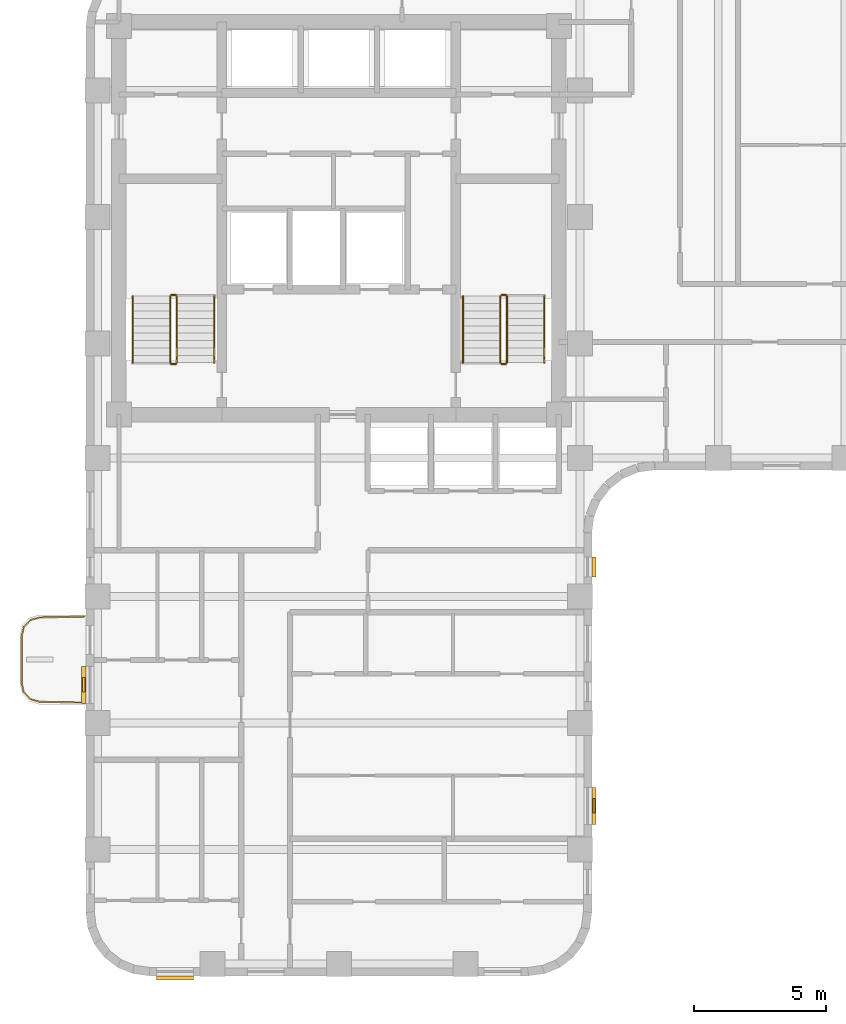
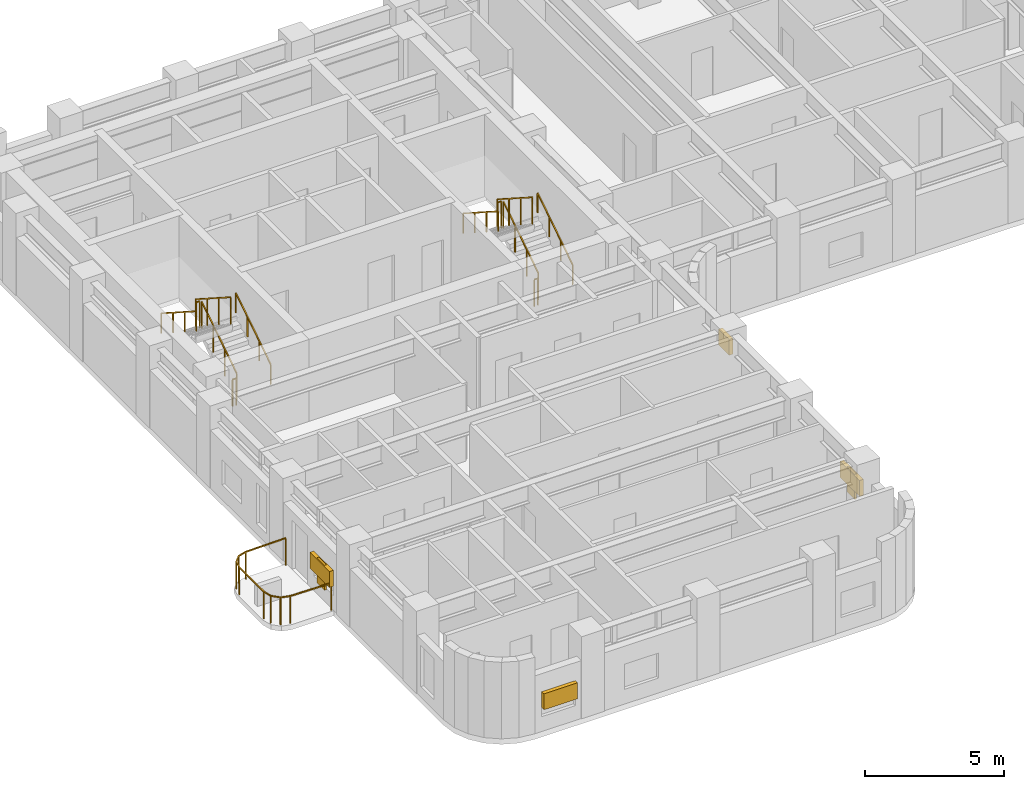
# One storey, part 8 of 9: 13 railings, 6 shading devices.
"""IFC4 building model written with IfcOpenShell, lengths in metres."""

from ifc_helpers import new_model, si_unit, direction, frame, origin, origin_2d, place, context, subcontext, project, spatial, rectangle, extrude, material, type_object, element, save


model = new_model("IFC4")

# Units and contexts
model_context = context("Model", 3, precision=1e-05, world=origin(), true_north=direction((0.0, 1.0)))
body_context = subcontext(model_context, "Body", "Model", "MODEL_VIEW")
ifc_project = project(units=[si_unit("LENGTHUNIT", "METRE"), si_unit("AREAUNIT", "SQUARE_METRE"), si_unit("VOLUMEUNIT", "CUBIC_METRE"), si_unit("PLANEANGLEUNIT", "RADIAN"), si_unit("MASSUNIT", "GRAM", prefix="KILO")], contexts=[model_context])

# Site, building, storey
site_placement = place(None, origin())
site = spatial("IfcSite", under=ifc_project, at=site_placement, CompositionType="ELEMENT")
building_placement = place(site_placement, origin())
building = spatial("IfcBuilding", under=site, at=building_placement, Name="Orvandelia Arch Residences", CompositionType="ELEMENT")
storey_placement = place(building_placement, frame((0.0, 0.0, 128.800048828125)))
storey = spatial("IfcBuildingStorey", under=building, at=storey_placement, Name="L33", CompositionType="ELEMENT", Elevation=128.800048828125)

# Railings
ifc_material_1 = material(Name="Marine-Grade Stainless Steel 316", Category="steel")
railing_type_1 = type_object("IfcRailingType", Name="GRD-BAL-1200", PredefinedType="BALUSTRADE", material=ifc_material_1)
railing_1_placement = place(storey_placement, frame((4.728271484375, 23.23046875, 0.0)))
element("IfcRailing", 1, at=railing_1_placement, inside=storey, type_object=railing_type_1, Name="Safety Balustrade Guard GRD-L33-BAL-L33-W1-1", PredefinedType="BALUSTRADE", context=body_context, shape_type="SweptSolid", body=[
    extrude(rectangle(XDim=0.048095703125, YDim=0.048095703125, at=origin_2d()), frame((0.0, 0.0, 1.19580078125), z_axis=(-0.999834751713, -0.018178813668, 0.0), x_axis=(0.018178813668, -0.999834751713, 0.0)), (0.0, 0.0, 1.0), 1.6787109375),
    extrude(rectangle(XDim=0.048095703125, YDim=0.048095703125, at=origin_2d()), frame((-1.678466796875, -0.030517578125, 1.19580078125), z_axis=(-0.96348920644, -0.267747173792, 0.0), x_axis=(0.267747173792, -0.96348920644, 0.0)), (0.0, 0.0, 1.0), 0.36572265625),
    extrude(rectangle(XDim=0.048095703125, YDim=0.048095703125, at=origin_2d()), frame((-2.03076171875, -0.12841796875, 1.19580078125), z_axis=(-0.688627404251, -0.725115368831, 0.0), x_axis=(0.725115368831, -0.688627404251, 0.0)), (0.0, 0.0, 1.0), 0.367919921875),
    extrude(rectangle(XDim=0.048095703125, YDim=0.048095703125, at=origin_2d()), frame((-2.2841796875, -0.395263671875, 1.19580078125), z_axis=(-0.220461657419, -0.975395641577, 0.0), x_axis=(0.975395641577, -0.220461657419, 0.0)), (0.0, 0.0, 1.0), 0.373291015625),
    extrude(rectangle(XDim=0.048095703125, YDim=0.048095703125, at=origin_2d()), frame((-2.366455078125, -0.75927734375, 1.19580078125), z_axis=(0.0, -1.0, 0.0), x_axis=(1.0, 0.0, 0.0)), (0.0, 0.0, 1.0), 1.742431640625),
    extrude(rectangle(XDim=0.048095703125, YDim=0.048095703125, at=origin_2d()), frame((-2.366455078125, -2.501708984375, 1.19580078125), z_axis=(0.220602419982, -0.975363815352, 0.0), x_axis=(0.975363815352, 0.220602419982, 0.0)), (0.0, 0.0, 1.0), 0.373046875),
    extrude(rectangle(XDim=0.048095703125, YDim=0.048095703125, at=origin_2d()), frame((-2.2841796875, -2.865478515625, 1.19580078125), z_axis=(0.688296224633, -0.725429739642, 0.0), x_axis=(0.725429739642, 0.688296224633, 0.0)), (0.0, 0.0, 1.0), 0.3681640625),
    extrude(rectangle(XDim=0.048095703125, YDim=0.048095703125, at=origin_2d()), frame((-2.03076171875, -3.132568359375, 1.19580078125), z_axis=(0.96348920644, -0.267747173792, 0.0), x_axis=(0.267747173792, 0.96348920644, 0.0)), (0.0, 0.0, 1.0), 0.36572265625),
    extrude(rectangle(XDim=0.048095703125, YDim=0.048095703125, at=origin_2d()), frame((-1.678466796875, -3.23046875, 1.19580078125), z_axis=(0.999834751713, -0.018178813668, 0.0), x_axis=(0.018178813668, 0.999834751713, 0.0)), (0.0, 0.0, 1.0), 1.6787109375),
    extrude(rectangle(XDim=0.0419921875, YDim=0.0419921875, at=origin_2d()), origin(), (0.0, 0.0, 1.0), 1.171875),
    extrude(rectangle(XDim=0.0419921875, YDim=0.0419921875, at=origin_2d()), frame((-1.678466796875, -0.030517578125, 0.0)), (0.0, 0.0, 1.0), 1.171875),
    extrude(rectangle(XDim=0.0419921875, YDim=0.0419921875, at=origin_2d()), frame((-2.03076171875, -0.12841796875, 0.0)), (0.0, 0.0, 1.0), 1.171875),
    extrude(rectangle(XDim=0.0419921875, YDim=0.0419921875, at=origin_2d()), frame((-2.2841796875, -0.395263671875, 0.0)), (0.0, 0.0, 1.0), 1.171875),
    extrude(rectangle(XDim=0.0419921875, YDim=0.0419921875, at=origin_2d()), frame((-2.366455078125, -0.75927734375, 0.0)), (0.0, 0.0, 1.0), 1.171875),
    extrude(rectangle(XDim=0.0419921875, YDim=0.0419921875, at=origin_2d()), frame((-2.366455078125, -2.501708984375, 0.0)), (0.0, 0.0, 1.0), 1.171875),
    extrude(rectangle(XDim=0.0419921875, YDim=0.0419921875, at=origin_2d()), frame((-2.2841796875, -2.865478515625, 0.0)), (0.0, 0.0, 1.0), 1.171875),
    extrude(rectangle(XDim=0.0419921875, YDim=0.0419921875, at=origin_2d()), frame((-2.03076171875, -3.132568359375, 0.0)), (0.0, 0.0, 1.0), 1.171875),
    extrude(rectangle(XDim=0.0419921875, YDim=0.0419921875, at=origin_2d()), frame((-1.678466796875, -3.23046875, 0.0)), (0.0, 0.0, 1.0), 1.171875),
    extrude(rectangle(XDim=0.0419921875, YDim=0.0419921875, at=origin_2d()), frame((0.0, -3.260986328125, 0.0)), (0.0, 0.0, 1.0), 1.171875),
])
ifc_material_2 = material(Name="Brushed Stainless Steel 304", Category="steel")
railing_type_2 = type_object("IfcRailingType", Name="RL-STAIR-GD1120", PredefinedType="GUARDRAIL", material=ifc_material_2)
railing_2_placement = place(storey_placement, frame((8.25, 32.8701171875, 0.179931640625)))
element("IfcRailing", 2, at=railing_2_placement, inside=storey, type_object=railing_type_2, Name="L33 ST-1 stair guard 1", PredefinedType="GUARDRAIL", context=body_context, shape_type="SweptSolid", body=[
    extrude(rectangle(XDim=0.048095703125, YDim=0.048095703125, at=origin_2d()), frame((0.0, 0.0, 1.17578125), z_axis=(0.0, 0.841138753965, 0.540819375188), x_axis=(-1.0, 0.0, 0.0)), (0.0, 0.0, 1.0), 2.99560546875),
    extrude(rectangle(XDim=0.0419921875, YDim=0.0419921875, at=origin_2d()), origin(), (0.0, 0.0, 1.0), 1.15185546875),
    extrude(rectangle(XDim=0.0419921875, YDim=0.0419921875, at=origin_2d()), frame((0.0, 0.83984375, 0.5400390625)), (0.0, 0.0, 1.0), 1.15185546875),
    extrude(rectangle(XDim=0.0419921875, YDim=0.0419921875, at=origin_2d()), frame((0.0, 1.679931640625, 1.080078125)), (0.0, 0.0, 1.0), 1.15185546875),
    extrude(rectangle(XDim=0.0419921875, YDim=0.0419921875, at=origin_2d()), frame((0.0, 2.519775390625, 1.6201171875)), (0.0, 0.0, 1.0), 1.15185546875),
])
railing_3_placement = place(storey_placement, frame((8.199951171875, 35.43994140625, 1.800048828125)))
element("IfcRailing", 3, at=railing_3_placement, inside=storey, type_object=railing_type_2, Name="L33 ST-1 stair guard 2", PredefinedType="GUARDRAIL", context=body_context, shape_type="SweptSolid", body=[
    extrude(rectangle(XDim=0.048095703125, YDim=0.048095703125, at=origin_2d()), frame((0.0, 0.0, 1.17578125), z_axis=(-1.0, 0.0, 0.0), x_axis=(0.0, -1.0, 0.0)), (0.0, 0.0, 1.0), 0.14990234375),
    extrude(rectangle(XDim=0.0419921875, YDim=0.0419921875, at=origin_2d()), origin(), (0.0, 0.0, 1.0), 1.15185546875),
    extrude(rectangle(XDim=0.0419921875, YDim=0.0419921875, at=origin_2d()), frame((-0.14990234375, 0.0, 0.0)), (0.0, 0.0, 1.0), 1.15185546875),
])
railing_4_placement = place(storey_placement, frame((8.0, 35.389892578125, 1.97998046875)))
element("IfcRailing", 4, at=railing_4_placement, inside=storey, type_object=railing_type_2, Name="L33 ST-1 stair guard 3", PredefinedType="GUARDRAIL", context=body_context, shape_type="SweptSolid", body=[
    extrude(rectangle(XDim=0.048095703125, YDim=0.048095703125, at=origin_2d()), frame((0.0, 0.0, 1.17578125), z_axis=(0.0, -0.841175827307, 0.540761710511), x_axis=(1.0, 0.0, 0.0)), (0.0, 0.0, 1.0), 2.99560546875),
    extrude(rectangle(XDim=0.0419921875, YDim=0.0419921875, at=origin_2d()), origin(), (0.0, 0.0, 1.0), 1.15185546875),
    extrude(rectangle(XDim=0.0419921875, YDim=0.0419921875, at=origin_2d()), frame((0.0, -0.83984375, 0.5400390625)), (0.0, 0.0, 1.0), 1.15185546875),
    extrude(rectangle(XDim=0.0419921875, YDim=0.0419921875, at=origin_2d()), frame((0.0, -1.679931640625, 1.079833984375)), (0.0, 0.0, 1.0), 1.15185546875),
    extrude(rectangle(XDim=0.0419921875, YDim=0.0419921875, at=origin_2d()), frame((0.0, -2.519775390625, 1.619873046875)), (0.0, 0.0, 1.0), 1.15185546875),
])
railing_5_placement = place(storey_placement, frame((8.199951171875, 32.820068359375, 0.0)))
element("IfcRailing", 5, at=railing_5_placement, inside=storey, type_object=railing_type_2, Name="L33 ST-1 stair guard 4", PredefinedType="GUARDRAIL", context=body_context, shape_type="SweptSolid", body=[
    extrude(rectangle(XDim=0.048095703125, YDim=0.048095703125, at=origin_2d()), frame((0.0, 0.0, 1.17578125), z_axis=(-1.0, 0.0, 0.0), x_axis=(0.0, -1.0, 0.0)), (0.0, 0.0, 1.0), 0.14990234375),
    extrude(rectangle(XDim=0.0419921875, YDim=0.0419921875, at=origin_2d()), origin(), (0.0, 0.0, 1.0), 1.15185546875),
    extrude(rectangle(XDim=0.0419921875, YDim=0.0419921875, at=origin_2d()), frame((-0.14990234375, 0.0, 0.0)), (0.0, 0.0, 1.0), 1.15185546875),
])
railing_6_placement = place(storey_placement, frame((20.780029296875, 32.8701171875, 0.179931640625)))
element("IfcRailing", 6, at=railing_6_placement, inside=storey, type_object=railing_type_2, Name="L33 ST-2 stair guard 1", PredefinedType="GUARDRAIL", context=body_context, shape_type="SweptSolid", body=[
    extrude(rectangle(XDim=0.048095703125, YDim=0.048095703125, at=origin_2d()), frame((0.0, 0.0, 1.17578125), z_axis=(0.0, 0.841138753965, 0.540819375188), x_axis=(-1.0, 0.0, 0.0)), (0.0, 0.0, 1.0), 2.99560546875),
    extrude(rectangle(XDim=0.0419921875, YDim=0.0419921875, at=origin_2d()), origin(), (0.0, 0.0, 1.0), 1.15185546875),
    extrude(rectangle(XDim=0.0419921875, YDim=0.0419921875, at=origin_2d()), frame((0.0, 0.83984375, 0.5400390625)), (0.0, 0.0, 1.0), 1.15185546875),
    extrude(rectangle(XDim=0.0419921875, YDim=0.0419921875, at=origin_2d()), frame((0.0, 1.679931640625, 1.080078125)), (0.0, 0.0, 1.0), 1.15185546875),
    extrude(rectangle(XDim=0.0419921875, YDim=0.0419921875, at=origin_2d()), frame((0.0, 2.519775390625, 1.6201171875)), (0.0, 0.0, 1.0), 1.15185546875),
])
railing_7_placement = place(storey_placement, frame((20.72998046875, 35.43994140625, 1.800048828125)))
element("IfcRailing", 7, at=railing_7_placement, inside=storey, type_object=railing_type_2, Name="L33 ST-2 stair guard 2", PredefinedType="GUARDRAIL", context=body_context, shape_type="SweptSolid", body=[
    extrude(rectangle(XDim=0.048095703125, YDim=0.048095703125, at=origin_2d()), frame((0.0, 0.0, 1.17578125), z_axis=(-1.0, 0.0, 0.0), x_axis=(0.0, -1.0, 0.0)), (0.0, 0.0, 1.0), 0.14990234375),
    extrude(rectangle(XDim=0.0419921875, YDim=0.0419921875, at=origin_2d()), origin(), (0.0, 0.0, 1.0), 1.15185546875),
    extrude(rectangle(XDim=0.0419921875, YDim=0.0419921875, at=origin_2d()), frame((-0.14990234375, 0.0, 0.0)), (0.0, 0.0, 1.0), 1.15185546875),
])
railing_8_placement = place(storey_placement, frame((20.530029296875, 35.389892578125, 1.97998046875)))
element("IfcRailing", 8, at=railing_8_placement, inside=storey, type_object=railing_type_2, Name="L33 ST-2 stair guard 3", PredefinedType="GUARDRAIL", context=body_context, shape_type="SweptSolid", body=[
    extrude(rectangle(XDim=0.048095703125, YDim=0.048095703125, at=origin_2d()), frame((0.0, 0.0, 1.17578125), z_axis=(0.0, -0.841175827307, 0.540761710511), x_axis=(1.0, 0.0, 0.0)), (0.0, 0.0, 1.0), 2.99560546875),
    extrude(rectangle(XDim=0.0419921875, YDim=0.0419921875, at=origin_2d()), origin(), (0.0, 0.0, 1.0), 1.15185546875),
    extrude(rectangle(XDim=0.0419921875, YDim=0.0419921875, at=origin_2d()), frame((0.0, -0.83984375, 0.5400390625)), (0.0, 0.0, 1.0), 1.15185546875),
    extrude(rectangle(XDim=0.0419921875, YDim=0.0419921875, at=origin_2d()), frame((0.0, -1.679931640625, 1.079833984375)), (0.0, 0.0, 1.0), 1.15185546875),
    extrude(rectangle(XDim=0.0419921875, YDim=0.0419921875, at=origin_2d()), frame((0.0, -2.519775390625, 1.619873046875)), (0.0, 0.0, 1.0), 1.15185546875),
])
railing_9_placement = place(storey_placement, frame((20.72998046875, 32.820068359375, 0.0)))
element("IfcRailing", 9, at=railing_9_placement, inside=storey, type_object=railing_type_2, Name="L33 ST-2 stair guard 4", PredefinedType="GUARDRAIL", context=body_context, shape_type="SweptSolid", body=[
    extrude(rectangle(XDim=0.048095703125, YDim=0.048095703125, at=origin_2d()), frame((0.0, 0.0, 1.17578125), z_axis=(-1.0, 0.0, 0.0), x_axis=(0.0, -1.0, 0.0)), (0.0, 0.0, 1.0), 0.14990234375),
    extrude(rectangle(XDim=0.0419921875, YDim=0.0419921875, at=origin_2d()), origin(), (0.0, 0.0, 1.0), 1.15185546875),
    extrude(rectangle(XDim=0.0419921875, YDim=0.0419921875, at=origin_2d()), frame((-0.14990234375, 0.0, 0.0)), (0.0, 0.0, 1.0), 1.15185546875),
])
railing_type_3 = type_object("IfcRailingType", Name="RL-STAIR-HR920", PredefinedType="HANDRAIL", material=ifc_material_2)
railing_10_placement = place(storey_placement, frame((9.669921875, 32.8701171875, 0.35986328125)))
element("IfcRailing", 10, at=railing_10_placement, inside=storey, type_object=railing_type_3, Name="L33 ST-1 stair handrail 1", PredefinedType="HANDRAIL", context=body_context, shape_type="SweptSolid", body=[
    extrude(rectangle(XDim=0.048095703125, YDim=0.048095703125, at=origin_2d()), frame((0.0, 0.0, 0.8759765625), z_axis=(0.0, 0.841138753965, 0.540819375188), x_axis=(-1.0, 0.0, 0.0)), (0.0, 0.0, 1.0), 2.99560546875),
    extrude(rectangle(XDim=0.0419921875, YDim=0.0419921875, at=origin_2d()), origin(), (0.0, 0.0, 1.0), 0.851806640625),
    extrude(rectangle(XDim=0.0419921875, YDim=0.0419921875, at=origin_2d()), frame((0.0, 0.83984375, 0.5400390625)), (0.0, 0.0, 1.0), 0.851806640625),
    extrude(rectangle(XDim=0.0419921875, YDim=0.0419921875, at=origin_2d()), frame((0.0, 1.679931640625, 1.080078125)), (0.0, 0.0, 1.0), 0.851806640625),
    extrude(rectangle(XDim=0.0419921875, YDim=0.0419921875, at=origin_2d()), frame((0.0, 2.519775390625, 1.6201171875)), (0.0, 0.0, 1.0), 0.851806640625),
])
railing_11_placement = place(storey_placement, frame((6.580078125, 35.389892578125, 2.159912109375)))
element("IfcRailing", 11, at=railing_11_placement, inside=storey, type_object=railing_type_3, Name="L33 ST-1 stair handrail 2", PredefinedType="HANDRAIL", context=body_context, shape_type="SweptSolid", body=[
    extrude(rectangle(XDim=0.048095703125, YDim=0.048095703125, at=origin_2d()), frame((0.0, 0.0, 0.8759765625), z_axis=(0.0, -0.841138753965, 0.540819375188), x_axis=(1.0, 0.0, 0.0)), (0.0, 0.0, 1.0), 2.99560546875),
    extrude(rectangle(XDim=0.0419921875, YDim=0.0419921875, at=origin_2d()), origin(), (0.0, 0.0, 1.0), 0.851806640625),
    extrude(rectangle(XDim=0.0419921875, YDim=0.0419921875, at=origin_2d()), frame((0.0, -0.83984375, 0.5400390625)), (0.0, 0.0, 1.0), 0.851806640625),
    extrude(rectangle(XDim=0.0419921875, YDim=0.0419921875, at=origin_2d()), frame((0.0, -1.679931640625, 1.080078125)), (0.0, 0.0, 1.0), 0.851806640625),
    extrude(rectangle(XDim=0.0419921875, YDim=0.0419921875, at=origin_2d()), frame((0.0, -2.519775390625, 1.6201171875)), (0.0, 0.0, 1.0), 0.851806640625),
])
railing_12_placement = place(storey_placement, frame((22.199951171875, 32.8701171875, 0.35986328125)))
element("IfcRailing", 12, at=railing_12_placement, inside=storey, type_object=railing_type_3, Name="L33 ST-2 stair handrail 1", PredefinedType="HANDRAIL", context=body_context, shape_type="SweptSolid", body=[
    extrude(rectangle(XDim=0.048095703125, YDim=0.048095703125, at=origin_2d()), frame((0.0, 0.0, 0.8759765625), z_axis=(0.0, 0.841138753965, 0.540819375188), x_axis=(-1.0, 0.0, 0.0)), (0.0, 0.0, 1.0), 2.99560546875),
    extrude(rectangle(XDim=0.0419921875, YDim=0.0419921875, at=origin_2d()), origin(), (0.0, 0.0, 1.0), 0.851806640625),
    extrude(rectangle(XDim=0.0419921875, YDim=0.0419921875, at=origin_2d()), frame((0.0, 0.83984375, 0.5400390625)), (0.0, 0.0, 1.0), 0.851806640625),
    extrude(rectangle(XDim=0.0419921875, YDim=0.0419921875, at=origin_2d()), frame((0.0, 1.679931640625, 1.080078125)), (0.0, 0.0, 1.0), 0.851806640625),
    extrude(rectangle(XDim=0.0419921875, YDim=0.0419921875, at=origin_2d()), frame((0.0, 2.519775390625, 1.6201171875)), (0.0, 0.0, 1.0), 0.851806640625),
])
railing_13_placement = place(storey_placement, frame((19.110107421875, 35.389892578125, 2.159912109375)))
element("IfcRailing", 13, at=railing_13_placement, inside=storey, type_object=railing_type_3, Name="L33 ST-2 stair handrail 2", PredefinedType="HANDRAIL", context=body_context, shape_type="SweptSolid", body=[
    extrude(rectangle(XDim=0.048095703125, YDim=0.048095703125, at=origin_2d()), frame((0.0, 0.0, 0.8759765625), z_axis=(0.0, -0.841138753965, 0.540819375188), x_axis=(1.0, 0.0, 0.0)), (0.0, 0.0, 1.0), 2.99560546875),
    extrude(rectangle(XDim=0.0419921875, YDim=0.0419921875, at=origin_2d()), origin(), (0.0, 0.0, 1.0), 0.851806640625),
    extrude(rectangle(XDim=0.0419921875, YDim=0.0419921875, at=origin_2d()), frame((0.0, -0.83984375, 0.5400390625)), (0.0, 0.0, 1.0), 0.851806640625),
    extrude(rectangle(XDim=0.0419921875, YDim=0.0419921875, at=origin_2d()), frame((0.0, -1.679931640625, 1.080078125)), (0.0, 0.0, 1.0), 0.851806640625),
    extrude(rectangle(XDim=0.0419921875, YDim=0.0419921875, at=origin_2d()), frame((0.0, -2.519775390625, 1.6201171875)), (0.0, 0.0, 1.0), 0.851806640625),
])

# Shading devices
ifc_material_3 = material(Name="Anodised Champagne-Bronze Extruded Aluminium", Category="aluminium")
shading_device_type_1 = type_object("IfcShadingDeviceType", Name="SHD-JALOUSIE-SCREEN", PredefinedType="JALOUSIE", material=ifc_material_3)
shading_device_1_placement = place(storey_placement, frame((24.080078125, 16.04638671875, 1.0498046875), z_axis=(0.0, 0.0, 1.0), x_axis=(0.0, -1.0, 0.0)))
element("IfcShadingDevice", 14, at=shading_device_1_placement, inside=storey, type_object=shading_device_type_1, Name="Bronze Jalousie Sun-Shade L33-006", PredefinedType="JALOUSIE", context=body_context, shape_type="SweptSolid", body=[
    extrude(rectangle(XDim=1.39990234375, YDim=0.159912109375, at=origin_2d()), origin(), (0.0, 0.0, 1.0), 0.699951171875),
])
shading_device_2_placement = place(storey_placement, frame((24.080078125, 25.117431640625, 1.5498046875), z_axis=(0.0, 0.0, 1.0), x_axis=(0.0, -1.0, 0.0)))
element("IfcShadingDevice", 15, at=shading_device_2_placement, inside=storey, type_object=shading_device_type_1, Name="Bronze Jalousie Sun-Shade L33-007", PredefinedType="JALOUSIE", context=body_context, shape_type="SweptSolid", body=[
    extrude(rectangle(XDim=0.75, YDim=0.159912109375, at=origin_2d()), origin(), (0.0, 0.0, 1.0), 0.699951171875),
])
for number, where, z_axis, x_axis, name in (
    (16, (8.1826171875, 9.52001953125, 1.0498046875), (0.0, 0.0, 1.0), (-1.0, 0.0, 0.0), "Bronze Jalousie Sun-Shade L33-008"),
    (17, (4.719970703125, 20.639404296875, 1.0498046875), (0.0, 0.0, 1.0), (0.0, 1.0, 0.0), "Bronze Jalousie Sun-Shade L33-009"),
):
    element("IfcShadingDevice", number, at=place(storey_placement, frame(where, z_axis=z_axis, x_axis=x_axis)), inside=storey, type_object=shading_device_type_1, Name=name, PredefinedType="JALOUSIE", context=body_context, shape_type="SweptSolid", body=[
        extrude(rectangle(XDim=1.39990234375, YDim=0.159912109375, at=origin_2d()), origin(), (0.0, 0.0, 1.0), 0.699951171875),
    ])
ifc_material_4 = material(Name="Marine-Grade Perforated Aluminium Storm Shutter", Category="aluminium")
shading_device_type_2 = type_object("IfcShadingDeviceType", Name="SHD-STORM-SHUTTER", PredefinedType="SHUTTER", material=ifc_material_4)
for number, where, z_axis, x_axis, name in (
    (18, (24.080078125, 16.04638671875, 0.64990234375), (0.0, 0.0, 1.0), (0.0, -1.0, 0.0), "Operable Typhoon Storm Shutter L33-006"),
    (19, (4.719970703125, 20.639404296875, 0.64990234375), (0.0, 0.0, 1.0), (0.0, 1.0, 0.0), "Operable Typhoon Storm Shutter L33-009"),
):
    element("IfcShadingDevice", number, at=place(storey_placement, frame(where, z_axis=z_axis, x_axis=x_axis)), inside=storey, type_object=shading_device_type_2, Name=name, PredefinedType="SHUTTER", context=body_context, shape_type="SweptSolid", body=[
        extrude(rectangle(XDim=0.550048828125, YDim=0.080078125, at=origin_2d()), origin(), (0.0, 0.0, 1.0), 1.10009765625),
    ])

save(model, "model.ifc")
